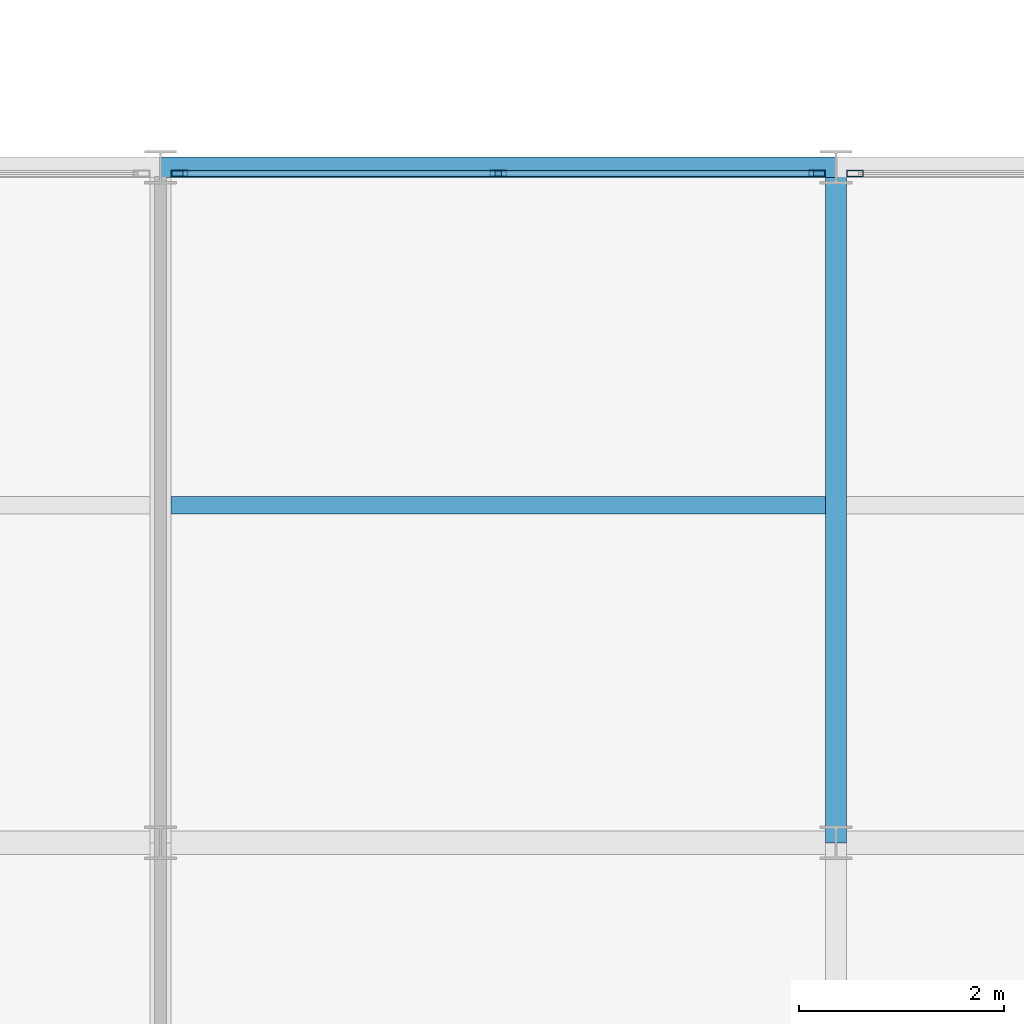
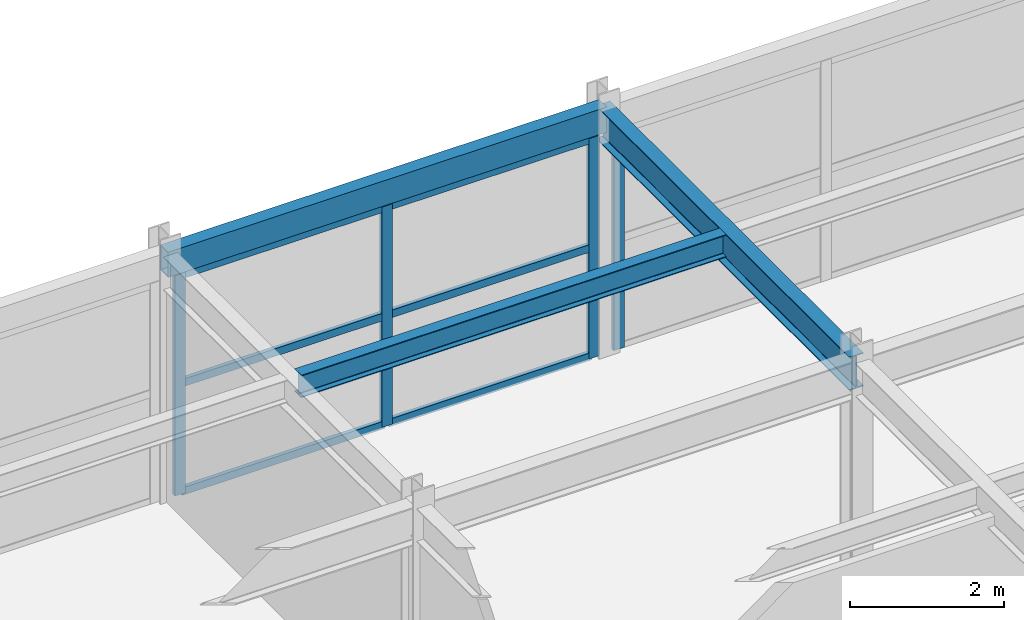
# One storey, part 77 of 106: 10 members, 3 beams, 2 elements without a shape of their own.
"""IFC4 building model written with IfcOpenShell, lengths in metres."""

from ifc_helpers import new_model, si_unit, direction, frame, origin, origin_2d, place, context, subcontext, project, spatial, hollow_rectangle, i_section, extrude, material, material_profile, profile_set, type_object, element, aggregate, save


model = new_model("IFC4")

# Units and contexts
model_context = context("Model", 3, precision=1e-05, world=origin(), true_north=direction((0.0, 1.0)))
body_context = subcontext(model_context, "Body", "Model", "MODEL_VIEW")
ifc_project = project(units=[si_unit("LENGTHUNIT", "METRE"), si_unit("AREAUNIT", "SQUARE_METRE"), si_unit("VOLUMEUNIT", "CUBIC_METRE"), si_unit("PLANEANGLEUNIT", "RADIAN"), si_unit("MASSUNIT", "GRAM", prefix="KILO")], contexts=[model_context])

# Site, building, storey
site_placement = place(None, origin())
site = spatial("IfcSite", under=ifc_project, at=site_placement, CompositionType="ELEMENT")
building_placement = place(site_placement, origin())
building = spatial("IfcBuilding", under=site, at=building_placement, Name="Karori Crest Natural Sciences Institute", CompositionType="ELEMENT")
storey_placement = place(building_placement, frame((0.0, 0.0, 25.89990234375)))
storey = spatial("IfcBuildingStorey", under=building, at=storey_placement, Name="L06", CompositionType="ELEMENT", Elevation=25.89990234375)

# Beams
ifc_material_1 = material(Name="Structural steel AS/NZS 3679.1 Grade 350", Category="steel")
ifc_material_profile_1 = material_profile(ifc_material_1, i_section(OverallWidth=0.208984375, OverallDepth=0.532958984375, WebThickness=0.01025390625, FlangeThickness=0.015625, FilletRadius=0.013916015625, at=origin_2d()), Name="530UB92.4")
ifc_profile_set_1 = profile_set([ifc_material_profile_1], Name="Structural steel AS/NZS 3679.1 Grade 350")
beam_type_1 = type_object("IfcBeamType", Name="BT-05", PredefinedType="BEAM", material=ifc_profile_set_1)
beam_1_placement = place(storey_placement, frame((149.800048828125, 14.0, 3.653564453125), z_axis=(0.0, 1.0, 0.0), x_axis=(-1.0, 0.0, 0.0)))
element("IfcBeam", 1, at=beam_1_placement, inside=storey, type_object=beam_type_1, Name="Beam B-2594", PredefinedType="BEAM", context=body_context, shape_type="SweptSolid", body=[
    extrude(i_section(OverallWidth=0.208984375, OverallDepth=0.532958984375, WebThickness=0.01025390625, FlangeThickness=0.015625, FilletRadius=0.013916015625, at=origin_2d()), origin(), (0.0, 0.0, 1.0), 6.60009765625),
])
ifc_material_profile_2 = material_profile(ifc_material_1, i_section(OverallWidth=0.172119140625, OverallDepth=0.35888671875, WebThickness=0.008056640625, FlangeThickness=0.012939453125, FilletRadius=0.010986328125, at=origin_2d()), Name="360UB56.7")
ifc_profile_set_2 = profile_set([ifc_material_profile_2], Name="Structural steel AS/NZS 3679.1 Grade 350")
beam_type_2 = type_object("IfcBeamType", Name="BT-08", PredefinedType="BEAM", material=ifc_profile_set_2)
beam_2_placement = place(storey_placement, frame((143.304443359375, 17.300048828125, 3.740478515625), z_axis=(1.0, 0.0, 0.0), x_axis=(0.0, 1.0, 0.0)))
element("IfcBeam", 2, at=beam_2_placement, inside=storey, type_object=beam_type_2, Name="Beam B-2614", PredefinedType="BEAM", context=body_context, shape_type="SweptSolid", body=[
    extrude(i_section(OverallWidth=0.172119140625, OverallDepth=0.35888671875, WebThickness=0.008056640625, FlangeThickness=0.012939453125, FilletRadius=0.010986328125, at=origin_2d()), origin(), (0.0, 0.0, 1.0), 6.39111328125),
])
ifc_material_2 = material(Name="Hollow structural steel AS/NZS 1163 Grade C350", Category="steel")
ifc_material_profile_3 = material_profile(ifc_material_2, hollow_rectangle(XDim=0.199951171875, YDim=0.39990234375, WallThickness=0.012451171875, at=origin_2d()), Name="RHS400x200x12.5")
ifc_profile_set_3 = profile_set([ifc_material_profile_3], Name="Hollow structural steel AS/NZS 1163 Grade C350")
beam_type_3 = type_object("IfcBeamType", Name="BT-14", PredefinedType="SPANDREL", material=ifc_profile_set_3)
beam_3_placement = place(storey_placement, frame((143.199951171875, 20.60009765625, 3.72021484375), z_axis=(1.0, 0.0, 0.0), x_axis=(0.0, 1.0, 0.0)))
element("IfcBeam", 3, at=beam_3_placement, inside=storey, type_object=beam_type_3, Name="Beam B-2569", PredefinedType="SPANDREL", context=body_context, shape_type="SweptSolid", body=[
    extrude(hollow_rectangle(XDim=0.199951171875, YDim=0.39990234375, WallThickness=0.012451171875, at=origin_2d()), origin(), (0.0, 0.0, 1.0), 6.60009765625),
])

# Curtain wall, members
ifc_material_3 = material(Name="Anodised architectural aluminium 6063-T6", Category="aluminium")
curtain_wall_type = type_object("IfcCurtainWallType", Name="CWT-20", PredefinedType="NOTDEFINED", material=ifc_material_3)
curtain_wall_1_placement = place(storey_placement, origin())
curtain_wall_1 = element("IfcCurtainWall", 4, at=curtain_wall_1_placement, inside=storey, type_object=curtain_wall_type, Name="Curtain wall CW-0355", PredefinedType="NOTDEFINED")
ifc_material_profile_4 = material_profile(ifc_material_3, hollow_rectangle(XDim=0.06494140625, YDim=0.159912109375, WallThickness=0.00390625, at=origin_2d()), Name="CWM160x65x4")
ifc_profile_set_4 = profile_set([ifc_material_profile_4], Name="Anodised architectural aluminium 6063-T6")
member_type_1 = type_object("IfcMemberType", Name="CWM-01", PredefinedType="MULLION", material=ifc_profile_set_4)
member_1_placement = place(storey_placement, frame((143.385986328125, 20.5400390625, 0.0), z_axis=(0.0, 0.0, 1.0), x_axis=(0.0, 1.0, 0.0)))
member_1 = element("IfcMember", 5, at=member_1_placement, type_object=member_type_1, Name="CW-0355 mullion 1", PredefinedType="MULLION", context=body_context, shape_type="SweptSolid", body=[
    extrude(hollow_rectangle(XDim=0.06494140625, YDim=0.159912109375, WallThickness=0.00390625, at=origin_2d()), origin(), (0.0, 0.0, 1.0), 3.505126953125),
])
member_2_placement = place(storey_placement, frame((146.5, 20.5400390625, 0.0), z_axis=(0.0, 0.0, 1.0), x_axis=(0.0, 1.0, 0.0)))
member_2 = element("IfcMember", 6, at=member_2_placement, type_object=member_type_1, Name="CW-0355 mullion 2", PredefinedType="MULLION", context=body_context, shape_type="SweptSolid", body=[
    extrude(hollow_rectangle(XDim=0.06494140625, YDim=0.159912109375, WallThickness=0.00390625, at=origin_2d()), origin(), (0.0, 0.0, 1.0), 3.505126953125),
])
member_3_placement = place(storey_placement, frame((149.614013671875, 20.5400390625, 0.0), z_axis=(0.0, 0.0, 1.0), x_axis=(0.0, 1.0, 0.0)))
member_3 = element("IfcMember", 7, at=member_3_placement, type_object=member_type_1, Name="CW-0355 mullion 3", PredefinedType="MULLION", context=body_context, shape_type="SweptSolid", body=[
    extrude(hollow_rectangle(XDim=0.06494140625, YDim=0.159912109375, WallThickness=0.00390625, at=origin_2d()), origin(), (0.0, 0.0, 1.0), 3.505126953125),
])

# Curtain wall, member
curtain_wall_2_placement = place(storey_placement, origin())
curtain_wall_2 = element("IfcCurtainWall", 8, at=curtain_wall_2_placement, inside=storey, type_object=curtain_wall_type, Name="Curtain wall CW-0356", PredefinedType="NOTDEFINED")
member_4_placement = place(storey_placement, frame((149.986083984375, 20.5400390625, 0.0), z_axis=(0.0, 0.0, 1.0), x_axis=(0.0, 1.0, 0.0)))
member_4 = element("IfcMember", 9, at=member_4_placement, type_object=member_type_1, Name="CW-0356 mullion 1", PredefinedType="MULLION", context=body_context, shape_type="SweptSolid", body=[
    extrude(hollow_rectangle(XDim=0.06494140625, YDim=0.159912109375, WallThickness=0.00390625, at=origin_2d()), origin(), (0.0, 0.0, 1.0), 3.505126953125),
])
aggregate(curtain_wall_2, [member_4])

# Member
ifc_material_profile_5 = material_profile(ifc_material_3, hollow_rectangle(XDim=0.06005859375, YDim=0.1201171875, WallThickness=0.00390625, at=origin_2d()), Name="CWT120x60x4")
ifc_profile_set_5 = profile_set([ifc_material_profile_5], Name="Anodised architectural aluminium 6063-T6")
member_type_2 = type_object("IfcMemberType", Name="CWT-TR1", PredefinedType="USERDEFINED", material=ifc_profile_set_5)
member_5_placement = place(storey_placement, frame((143.41845703125, 20.5400390625, 0.030029296875), z_axis=(1.0, 0.0, 0.0), x_axis=(0.0, 1.0, 0.0)))
member_5 = element("IfcMember", 10, at=member_5_placement, type_object=member_type_2, Name="CW-0355 transom 1.1", ObjectType="TRANSOM", PredefinedType="USERDEFINED", context=body_context, shape_type="SweptSolid", body=[
    extrude(hollow_rectangle(XDim=0.06005859375, YDim=0.1201171875, WallThickness=0.00390625, at=origin_2d()), origin(), (0.0, 0.0, 1.0), 3.049072265625),
])

member_6_placement = place(storey_placement, frame((143.41845703125, 20.5400390625, 1.752685546875), z_axis=(1.0, 0.0, 0.0), x_axis=(0.0, 1.0, 0.0)))
member_6 = element("IfcMember", 11, at=member_6_placement, type_object=member_type_2, Name="CW-0355 transom 1.2", ObjectType="TRANSOM", PredefinedType="USERDEFINED", context=body_context, shape_type="SweptSolid", body=[
    extrude(hollow_rectangle(XDim=0.06005859375, YDim=0.1201171875, WallThickness=0.00390625, at=origin_2d()), origin(), (0.0, 0.0, 1.0), 3.049072265625),
])

member_7_placement = place(storey_placement, frame((143.41845703125, 20.5400390625, 3.47509765625), z_axis=(1.0, 0.0, 0.0), x_axis=(0.0, 1.0, 0.0)))
member_7 = element("IfcMember", 12, at=member_7_placement, type_object=member_type_2, Name="CW-0355 transom 1.3", ObjectType="TRANSOM", PredefinedType="USERDEFINED", context=body_context, shape_type="SweptSolid", body=[
    extrude(hollow_rectangle(XDim=0.06005859375, YDim=0.1201171875, WallThickness=0.00390625, at=origin_2d()), origin(), (0.0, 0.0, 1.0), 3.049072265625),
])

member_8_placement = place(storey_placement, frame((146.532470703125, 20.5400390625, 0.030029296875), z_axis=(1.0, 0.0, 0.0), x_axis=(0.0, 1.0, 0.0)))
member_8 = element("IfcMember", 13, at=member_8_placement, type_object=member_type_2, Name="CW-0355 transom 2.1", ObjectType="TRANSOM", PredefinedType="USERDEFINED", context=body_context, shape_type="SweptSolid", body=[
    extrude(hollow_rectangle(XDim=0.06005859375, YDim=0.1201171875, WallThickness=0.00390625, at=origin_2d()), origin(), (0.0, 0.0, 1.0), 3.049072265625),
])

member_9_placement = place(storey_placement, frame((146.532470703125, 20.5400390625, 1.752685546875), z_axis=(1.0, 0.0, 0.0), x_axis=(0.0, 1.0, 0.0)))
member_9 = element("IfcMember", 14, at=member_9_placement, type_object=member_type_2, Name="CW-0355 transom 2.2", ObjectType="TRANSOM", PredefinedType="USERDEFINED", context=body_context, shape_type="SweptSolid", body=[
    extrude(hollow_rectangle(XDim=0.06005859375, YDim=0.1201171875, WallThickness=0.00390625, at=origin_2d()), origin(), (0.0, 0.0, 1.0), 3.049072265625),
])

member_10_placement = place(storey_placement, frame((146.532470703125, 20.5400390625, 3.47509765625), z_axis=(1.0, 0.0, 0.0), x_axis=(0.0, 1.0, 0.0)))
member_10 = element("IfcMember", 15, at=member_10_placement, type_object=member_type_2, Name="CW-0355 transom 2.3", ObjectType="TRANSOM", PredefinedType="USERDEFINED", context=body_context, shape_type="SweptSolid", body=[
    extrude(hollow_rectangle(XDim=0.06005859375, YDim=0.1201171875, WallThickness=0.00390625, at=origin_2d()), origin(), (0.0, 0.0, 1.0), 3.049072265625),
])

aggregate(curtain_wall_1, [member_1, member_2, member_3, member_5, member_6, member_7, member_8, member_9, member_10])

save(model, "model.ifc")
